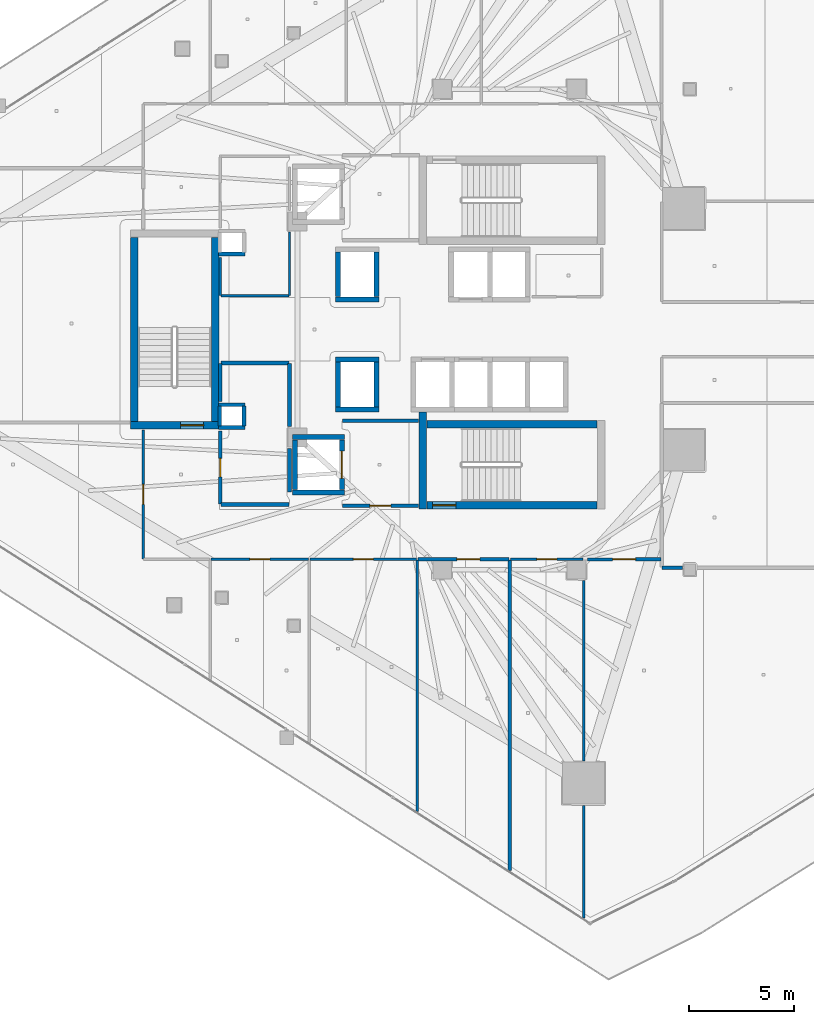
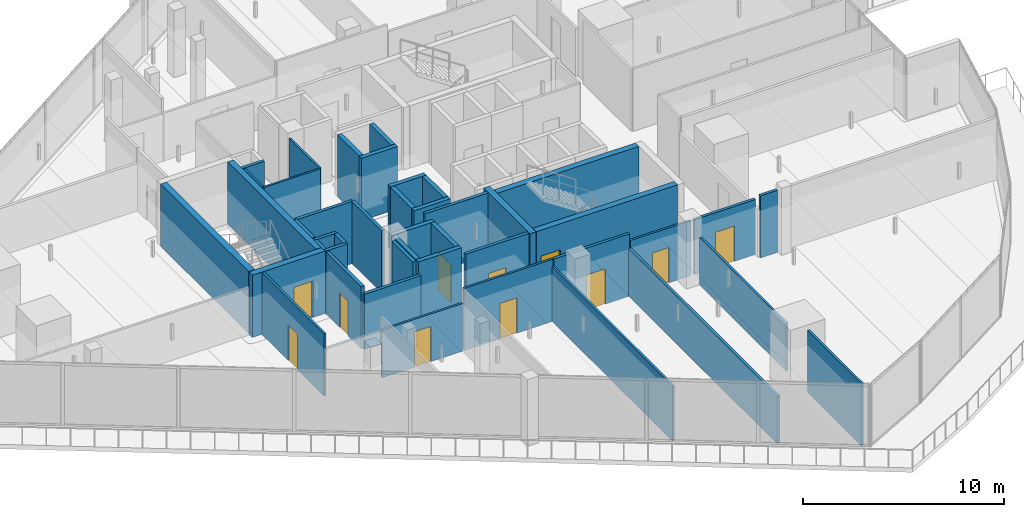
# One storey, part 25 of 37: 44 walls, 11 doors, 11 openings.
"""IFC4 building model written with IfcOpenShell, lengths in metres."""

from ifc_helpers import new_model, si_unit, direction, frame, frame_2d, origin, place, context, subcontext, project, spatial, rectangle, extrude, material, layer, layer_set, type_object, element, fill, save


model = new_model("IFC4")

# Units and contexts
model_context = context("Model", 3, precision=1e-05, world=origin(), true_north=direction((0.0, 1.0)))
body_context = subcontext(model_context, "Body", "Model", "MODEL_VIEW")
ifc_project = project(units=[si_unit("LENGTHUNIT", "METRE"), si_unit("AREAUNIT", "SQUARE_METRE"), si_unit("VOLUMEUNIT", "CUBIC_METRE"), si_unit("PLANEANGLEUNIT", "RADIAN"), si_unit("MASSUNIT", "GRAM", prefix="KILO")], contexts=[model_context])

# Site, building, storey
site_placement = place(None, origin())
site = spatial("IfcSite", under=ifc_project, at=site_placement, CompositionType="ELEMENT")
building_placement = place(site_placement, origin())
building = spatial("IfcBuilding", under=site, at=building_placement, Name="Qorvath Tower", CompositionType="ELEMENT")
storey_placement = place(building_placement, frame((0.0, 0.0, 184.800048828125)))
storey = spatial("IfcBuildingStorey", under=building, at=storey_placement, Name="L42", CompositionType="ELEMENT", Elevation=184.800048828125)

# Walls
ifc_material_1 = material(Name="Gypsum shaftliner on steel studs", Category="steel")
ifc_layer_1 = layer(ifc_material_1, 0.179931640625)
ifc_layer_set_1 = layer_set([ifc_layer_1], Name="FW-LOBBY")
wall_type_1 = type_object("IfcWallType", Name="FW-LOBBY", PredefinedType="PARTITIONING", material=ifc_layer_set_1)
for number, where, z_axis, x_axis, name in (
    (1, (-32.989990234375, 3.594970703125, 0.0), (0.0, 0.0, 1.0), (-1.0, 0.0, 0.0), "MEP Riser Shaft Enclosure Wall N-L42-S"),
    (2, (-32.989990234375, -4.675048828125, 0.0), (0.0, 0.0, 1.0), (-1.0, 0.0, 0.0), "MEP Riser Shaft Enclosure Wall S-L42-S"),
    (3, (-34.260009765625, -3.594970703125, 0.0), (0.0, 0.0, 1.0), (1.0, 0.0, 0.0), "MEP Riser Shaft Enclosure Wall S-L42-N"),
):
    element("IfcWall", number, at=place(storey_placement, frame(where, z_axis=z_axis, x_axis=x_axis)), inside=storey, type_object=wall_type_1, Name=name, PredefinedType="PARTITIONING", context=body_context, shape_type="SweptSolid", body=[
        extrude(rectangle(XDim=1.27001953125, YDim=0.179931640625, at=frame_2d((0.635009765625, 0.0))), origin(), (0.0, 0.0, 1.0), 3.780029296875),
    ])
for number, where, z_axis, x_axis, name in (
    (4, (-34.205078125, -4.610107421875, 0.0), (0.0, 0.0, 1.0), (0.0, 1.0, 0.0), "MEP Riser Shaft Enclosure Wall S-L42-W"),
    (5, (-33.044921875, -3.659912109375, 0.0), (0.0, 0.0, 1.0), (0.0, -1.0, 0.0), "MEP Riser Shaft Enclosure Wall S-L42-E"),
):
    element("IfcWall", number, at=place(storey_placement, frame(where, z_axis=z_axis, x_axis=x_axis)), inside=storey, type_object=wall_type_1, Name=name, PredefinedType="PARTITIONING", context=body_context, shape_type="SweptSolid", body=[
        extrude(rectangle(XDim=0.9501953125, YDim=0.179931640625, at=frame_2d((0.47509765625, 0.0))), origin(), (0.0, 0.0, 1.0), 3.780029296875),
    ])

# Wall, opening, door
wall_1_placement = place(storey_placement, frame((-28.35498046875, -8.39990234375, 0.0), z_axis=(0.0, 0.0, 1.0), x_axis=(1.0, 0.0, 0.0)))
wall_1 = element("IfcWall", 6, at=wall_1_placement, inside=storey, type_object=wall_type_1, Name="Interior Partition IW-T1-L42-003", PredefinedType="PARTITIONING", context=body_context, shape_type="SweptSolid", body=[
    extrude(rectangle(XDim=3.6220703125, YDim=0.179931640625, at=frame_2d((1.81103515625, 0.0))), origin(), (0.0, 0.0, 1.0), 3.780029296875),
])
opening_1_placement = place(wall_1_placement, frame((1.31103515625, 0.0, 0.0)))
opening_1 = element("IfcOpeningElement", 7, at=opening_1_placement, cuts=wall_1, Name="Opening D-T1-L42-19", PredefinedType="OPENING", context=body_context, shape_type="SweptSolid", body=[
    extrude(rectangle(XDim=1.0, YDim=2.14990234375, at=frame_2d((0.5, 1.074951171875))), frame((0.0, 0.10009765625, 0.0), z_axis=(0.0, -1.0, 0.0), x_axis=(1.0, 0.0, 0.0)), (0.0, 0.0, 1.0), 0.199951171875),
])
ifc_material_2 = material(Name="Painted galvanised hollow metal", Category="steel")
door_type_1 = type_object("IfcDoorType", Name="FD-60", OperationType="NOTDEFINED", PredefinedType="DOOR", material=ifc_material_2)
door_1_placement = place(opening_1_placement, origin())
door_1 = element("IfcDoor", 8, at=door_1_placement, inside=storey, type_object=door_type_1, Name="Lobby Fire Service Elevator South Door D-T1-L42-19", OperationType="SINGLE_SWING_RIGHT", OverallHeight=2.14990234375, OverallWidth=1.0, PredefinedType="DOOR", context=body_context, shape_type="SweptSolid", body=[
    extrude(rectangle(XDim=1.0, YDim=2.14990234375, at=frame_2d((0.5, 1.074951171875))), frame((0.0, 0.02490234375, 0.0), z_axis=(0.0, -1.0, 0.0), x_axis=(1.0, 0.0, 0.0)), (0.0, 0.0, 1.0), 0.050048828125),
])
fill(opening_1, door_1)

# Walls
wall_2_placement = place(storey_placement, frame((-24.73291015625, -4.35009765625, 0.0), z_axis=(0.0, 0.0, 1.0), x_axis=(-1.0, 0.0, 0.0)))
element("IfcWall", 9, at=wall_2_placement, inside=storey, type_object=wall_type_1, Name="Interior Partition IW-T1-L42-004", PredefinedType="PARTITIONING", context=body_context, shape_type="SweptSolid", body=[
    extrude(rectangle(XDim=3.6220703125, YDim=0.179931640625, at=frame_2d((1.81103515625, 0.0))), origin(), (0.0, 0.0, 1.0), 3.780029296875),
])
wall_3_placement = place(storey_placement, frame((-34.15478515625, -8.35009765625, 0.0), z_axis=(0.0, 0.0, 1.0), x_axis=(1.0, 0.0, 0.0)))
element("IfcWall", 10, at=wall_3_placement, inside=storey, type_object=wall_type_1, Name="Interior Partition IW-T1-L42-013", PredefinedType="PARTITIONING", context=body_context, shape_type="SweptSolid", body=[
    extrude(rectangle(XDim=3.25, YDim=0.179931640625, at=frame_2d((1.625, 0.0))), origin(), (0.0, 0.0, 1.0), 3.34423828125),
])
wall_4_placement = place(storey_placement, frame((-30.8798828125, -7.742919921875, 0.0), z_axis=(0.0, 0.0, 1.0), x_axis=(0.0, 1.0, 0.0)))
element("IfcWall", 11, at=wall_4_placement, inside=storey, type_object=wall_type_1, Name="Interior Partition IW-T1-L42-014", PredefinedType="PARTITIONING", context=body_context, shape_type="SweptSolid", body=[
    extrude(rectangle(XDim=2.077880859375, YDim=0.179931640625, at=frame_2d((1.0390625, 0.0))), origin(), (0.0, 0.0, 1.0), 3.780029296875),
])
wall_5_placement = place(storey_placement, frame((-30.8798828125, -4.635009765625, 0.0), z_axis=(0.0, 0.0, 1.0), x_axis=(0.0, 1.0, 0.0)))
element("IfcWall", 12, at=wall_5_placement, inside=storey, type_object=wall_type_1, Name="Interior Partition IW-T1-L42-015", PredefinedType="PARTITIONING", context=body_context, shape_type="SweptSolid", body=[
    extrude(rectangle(XDim=3.010009765625, YDim=0.179931640625, at=frame_2d((1.5048828125, 0.0))), origin(), (0.0, 0.0, 1.0), 3.780029296875),
])
wall_6_placement = place(storey_placement, frame((-30.90478515625, -1.60009765625, 0.0), z_axis=(0.0, 0.0, 1.0), x_axis=(-1.0, 0.0, 0.0)))
element("IfcWall", 13, at=wall_6_placement, inside=storey, type_object=wall_type_1, Name="Interior Partition IW-T1-L42-016", PredefinedType="PARTITIONING", context=body_context, shape_type="SweptSolid", body=[
    extrude(rectangle(XDim=3.25, YDim=0.179931640625, at=frame_2d((1.625, 0.0))), origin(), (0.0, 0.0, 1.0), 3.780029296875),
])
wall_7_placement = place(storey_placement, frame((-34.179931640625, -1.625, 0.0), z_axis=(0.0, 0.0, 1.0), x_axis=(0.0, -1.0, 0.0)))
element("IfcWall", 14, at=wall_7_placement, inside=storey, type_object=wall_type_1, Name="Interior Partition IW-T1-L42-017", PredefinedType="PARTITIONING", context=body_context, shape_type="SweptSolid", body=[
    extrude(rectangle(XDim=1.804931640625, YDim=0.179931640625, at=frame_2d((0.90234375, 0.0))), origin(), (0.0, 0.0, 1.0), 3.780029296875),
])

# Wall, opening, door
wall_8_placement = place(storey_placement, frame((-34.179931640625, -4.840087890625, 0.0), z_axis=(0.0, 0.0, 1.0), x_axis=(0.0, -1.0, 0.0)))
wall_8 = element("IfcWall", 15, at=wall_8_placement, inside=storey, type_object=wall_type_1, Name="Interior Partition IW-T1-L42-018", PredefinedType="PARTITIONING", context=body_context, shape_type="SweptSolid", body=[
    extrude(rectangle(XDim=3.485107421875, YDim=0.179931640625, at=frame_2d((1.74267578125, 0.0))), origin(), (0.0, 0.0, 1.0), 3.780029296875),
])
opening_2_placement = place(wall_8_placement, frame((1.302490234375, 0.0, 0.0)))
opening_2 = element("IfcOpeningElement", 16, at=opening_2_placement, cuts=wall_8, Name="Opening D-T1-L42-03", PredefinedType="OPENING", context=body_context, shape_type="SweptSolid", body=[
    extrude(rectangle(XDim=0.8798828125, YDim=2.10009765625, at=frame_2d((0.43994140625, 1.050048828125))), frame((0.0, 0.10009765625, 0.0), z_axis=(0.0, -1.0, 0.0), x_axis=(1.0, 0.0, 0.0)), (0.0, 0.0, 1.0), 0.199951171875),
])
ifc_material_3 = material(Name="Painted galvanised hollow metal", Category="steel")
door_type_2 = type_object("IfcDoorType", Name="FD-60N", OperationType="NOTDEFINED", PredefinedType="DOOR", material=ifc_material_3)
door_2_placement = place(opening_2_placement, origin())
door_2 = element("IfcDoor", 17, at=door_2_placement, inside=storey, type_object=door_type_2, Name="Core electrical and cleaner room L42 Door D-T1-L42-03", OperationType="SINGLE_SWING_RIGHT", OverallHeight=2.10009765625, OverallWidth=0.8798828125, PredefinedType="DOOR", context=body_context, shape_type="SweptSolid", body=[
    extrude(rectangle(XDim=0.8798828125, YDim=2.10009765625, at=frame_2d((0.43994140625, 1.050048828125))), frame((0.0, 0.02490234375, 0.0), z_axis=(0.0, -1.0, 0.0), x_axis=(1.0, 0.0, 0.0)), (0.0, 0.0, 1.0), 0.050048828125),
])
fill(opening_2, door_2)

# Wall
ifc_material_4 = material(Name="Double acoustic gypsum board on steel studs", Category="steel")
ifc_layer_2 = layer(ifc_material_4, 0.159912109375)
ifc_layer_set_2 = layer_set([ifc_layer_2], Name="IW-ACOUSTIC-160")
wall_type_2 = type_object("IfcWallType", Name="IW-ACOUSTIC-160", PredefinedType="PARTITIONING", material=ifc_layer_set_2)
wall_9_placement = place(storey_placement, frame((-20.382568359375, -25.794189453125, 0.0), z_axis=(0.0, 0.0, 1.0), x_axis=(0.0, 1.0, 0.0)))
element("IfcWall", 18, at=wall_9_placement, inside=storey, type_object=wall_type_2, Name="Interior Partition IW-T1-L42-033", PredefinedType="PARTITIONING", context=body_context, shape_type="SweptSolid", body=[
    extrude(rectangle(XDim=14.811279296875, YDim=0.159912109375, at=frame_2d((7.40576171875, 0.0))), origin(), (0.0, 0.0, 1.0), 2.89501953125),
])

# Wall, opening, door
wall_10_placement = place(storey_placement, frame((-20.40771484375, -10.9580078125, 0.0), z_axis=(0.0, 0.0, 1.0), x_axis=(-1.0, 0.0, 0.0)))
wall_10 = element("IfcWall", 19, at=wall_10_placement, inside=storey, type_object=wall_type_2, Name="Interior Partition IW-T1-L42-034", PredefinedType="PARTITIONING", context=body_context, shape_type="SweptSolid", body=[
    extrude(rectangle(XDim=4.351806640625, YDim=0.159912109375, at=frame_2d((2.17578125, 0.0))), origin(), (0.0, 0.0, 1.0), 3.780029296875),
])
opening_3_placement = place(wall_10_placement, frame((1.3935546875, 0.0, 0.0)))
opening_3 = element("IfcOpeningElement", 20, at=opening_3_placement, cuts=wall_10, Name="Opening D-T1-L42-09", PredefinedType="OPENING", context=body_context, shape_type="SweptSolid", body=[
    extrude(rectangle(XDim=1.10009765625, YDim=2.14990234375, at=frame_2d((0.550048828125, 1.074951171875))), frame((0.0, 0.08984375, 0.0), z_axis=(0.0, -1.0, 0.0), x_axis=(1.0, 0.0, 0.0)), (0.0, 0.0, 1.0), 0.179931640625),
])
ifc_material_5 = material(Name="Anodised aluminium acoustic framed glass", Category="aluminium")
door_type_3 = type_object("IfcDoorType", Name="D-03", OperationType="NOTDEFINED", PredefinedType="DOOR", material=ifc_material_5)
door_3_placement = place(opening_3_placement, origin())
door_3 = element("IfcDoor", 21, at=door_3_placement, inside=storey, type_object=door_type_3, Name="L42-06 Digital Visualization Suite Door D-T1-L42-09", OperationType="SINGLE_SWING_RIGHT", OverallHeight=2.14990234375, OverallWidth=1.10009765625, PredefinedType="DOOR", context=body_context, shape_type="SweptSolid", body=[
    extrude(rectangle(XDim=1.10009765625, YDim=2.14990234375, at=frame_2d((0.550048828125, 1.074951171875))), frame((0.0, 0.02490234375, 0.0), z_axis=(0.0, -1.0, 0.0), x_axis=(1.0, 0.0, 0.0)), (0.0, 0.0, 1.0), 0.050048828125),
])
fill(opening_3, door_3)

# Wall
wall_11_placement = place(storey_placement, frame((-12.139892578125, -11.3544921875, 0.0), z_axis=(0.0, 0.0, 1.0), x_axis=(-0.999999723608, 0.000743494218, 0.0)))
element("IfcWall", 22, at=wall_11_placement, inside=storey, type_object=wall_type_2, Name="Interior Partition IW-T1-L42-039", PredefinedType="PARTITIONING", context=body_context, shape_type="SweptSolid", body=[
    extrude(rectangle(XDim=0.985107421875, YDim=0.159912109375, at=frame_2d((0.49267578125, 0.0))), origin(), (0.0, 0.0, 1.0), 3.780029296875),
])

# Wall, opening, door
wall_12_placement = place(storey_placement, frame((-13.1748046875, -10.9580078125, 0.0), z_axis=(0.0, 0.0, 1.0), x_axis=(-0.999997523311, -0.002225616967, 0.0)))
wall_12 = element("IfcWall", 23, at=wall_12_placement, inside=storey, type_object=wall_type_2, Name="Interior Partition IW-T1-L42-040", PredefinedType="PARTITIONING", context=body_context, shape_type="SweptSolid", body=[
    extrude(rectangle(XDim=3.51025390625, YDim=0.159912109375, at=frame_2d((1.755126953125, 0.0))), origin(), (0.0, 0.0, 1.0), 3.34423828125),
])
opening_4_placement = place(wall_12_placement, frame((1.205078125, 0.0, 0.0)))
opening_4 = element("IfcOpeningElement", 24, at=opening_4_placement, cuts=wall_12, Name="Opening D-T1-L42-11", PredefinedType="OPENING", context=body_context, shape_type="SweptSolid", body=[
    extrude(rectangle(XDim=1.10009765625, YDim=2.14990234375, at=frame_2d((0.550048828125, 1.074951171875))), frame((0.0, 0.08984375, 0.0), z_axis=(0.0, -1.0, 0.0), x_axis=(1.0, 0.0, 0.0)), (0.0, 0.0, 1.0), 0.179931640625),
])
door_4_placement = place(opening_4_placement, origin())
door_4 = element("IfcDoor", 25, at=door_4_placement, inside=storey, type_object=door_type_3, Name="L42-08 Team Project Office Door D-T1-L42-11", OperationType="SINGLE_SWING_RIGHT", OverallHeight=2.14990234375, OverallWidth=1.10009765625, PredefinedType="DOOR", context=body_context, shape_type="SweptSolid", body=[
    extrude(rectangle(XDim=1.10009765625, YDim=2.14990234375, at=frame_2d((0.550048828125, 1.074951171875))), frame((0.0, 0.02490234375, 0.0), z_axis=(0.0, -1.0, 0.0), x_axis=(1.0, 0.0, 0.0)), (0.0, 0.0, 1.0), 0.050048828125),
])
fill(opening_4, door_4)

ifc_material_6 = material(Name="Gypsum board on metal studs with mineral wool", Category="gypsum")
ifc_layer_3 = layer(ifc_material_6, 0.125)
ifc_layer_set_3 = layer_set([ifc_layer_3], Name="IW-PART-125")
wall_type_3 = type_object("IfcWallType", Name="IW-PART-125", PredefinedType="PARTITIONING", material=ifc_layer_set_3)
wall_13_placement = place(storey_placement, frame((-29.962646484375, -10.9580078125, 0.0), z_axis=(0.0, 0.0, 1.0), x_axis=(-1.0, 0.0, 0.0)))
wall_13 = element("IfcWall", 26, at=wall_13_placement, inside=storey, type_object=wall_type_3, Name="Interior Partition IW-T1-L42-028", PredefinedType="PARTITIONING", context=body_context, shape_type="SweptSolid", body=[
    extrude(rectangle(XDim=4.662353515625, YDim=0.125, at=frame_2d((2.3310546875, 0.0))), origin(), (0.0, 0.0, 1.0), 2.89990234375),
])
opening_5_placement = place(wall_13_placement, frame((1.856201171875, 0.0, 0.0)))
opening_5 = element("IfcOpeningElement", 27, at=opening_5_placement, cuts=wall_13, Name="Opening D-T1-L42-07", PredefinedType="OPENING", context=body_context, shape_type="SweptSolid", body=[
    extrude(rectangle(XDim=0.949951171875, YDim=2.14990234375, at=frame_2d((0.47509765625, 1.074951171875))), frame((0.0, 0.072509765625, 0.0), z_axis=(0.0, -1.0, 0.0), x_axis=(1.0, 0.0, 0.0)), (0.0, 0.0, 1.0), 0.14501953125),
])
ifc_material_7 = material(Name="Solid-core American white oak veneer", Category="wood")
door_type_4 = type_object("IfcDoorType", Name="D-01", OperationType="NOTDEFINED", PredefinedType="DOOR", material=ifc_material_7)
door_5_placement = place(opening_5_placement, origin())
door_5 = element("IfcDoor", 28, at=door_5_placement, inside=storey, type_object=door_type_4, Name="L42-04 Executive Partner Office Door D-T1-L42-07", OperationType="SINGLE_SWING_RIGHT", OverallHeight=2.14990234375, OverallWidth=0.949951171875, PredefinedType="DOOR", context=body_context, shape_type="SweptSolid", body=[
    extrude(rectangle(XDim=0.949951171875, YDim=2.14990234375, at=frame_2d((0.47509765625, 1.074951171875))), frame((0.0, 0.02490234375, 0.0), z_axis=(0.0, -1.0, 0.0), x_axis=(1.0, 0.0, 0.0)), (0.0, 0.0, 1.0), 0.050048828125),
])
fill(opening_5, door_5)

# Wall
wall_14_placement = place(storey_placement, frame((-24.79248046875, -22.9755859375, 0.0), z_axis=(0.0, 0.0, 1.0), x_axis=(0.0, 1.0, 0.0)))
element("IfcWall", 29, at=wall_14_placement, inside=storey, type_object=wall_type_3, Name="Interior Partition IW-T1-L42-031", PredefinedType="PARTITIONING", context=body_context, shape_type="SweptSolid", body=[
    extrude(rectangle(XDim=11.99267578125, YDim=0.125, at=frame_2d((5.996337890625, 0.0))), origin(), (0.0, 0.0, 1.0), 3.34423828125),
])

# Wall, opening, door
wall_15_placement = place(storey_placement, frame((-24.8173828125, -10.9580078125, 0.0), z_axis=(0.0, 0.0, 1.0), x_axis=(-1.0, 0.0, 0.0)))
wall_15 = element("IfcWall", 30, at=wall_15_placement, inside=storey, type_object=wall_type_3, Name="Interior Partition IW-T1-L42-032", PredefinedType="PARTITIONING", context=body_context, shape_type="SweptSolid", body=[
    extrude(rectangle(XDim=5.08740234375, YDim=0.125, at=frame_2d((2.543701171875, 0.0))), origin(), (0.0, 0.0, 1.0), 3.780029296875),
])
opening_6_placement = place(wall_15_placement, frame((2.068603515625, 0.0, 0.0)))
opening_6 = element("IfcOpeningElement", 31, at=opening_6_placement, cuts=wall_15, Name="Opening D-T1-L42-08", PredefinedType="OPENING", context=body_context, shape_type="SweptSolid", body=[
    extrude(rectangle(XDim=0.949951171875, YDim=2.14990234375, at=frame_2d((0.47509765625, 1.074951171875))), frame((0.0, 0.072509765625, 0.0), z_axis=(0.0, -1.0, 0.0), x_axis=(1.0, 0.0, 0.0)), (0.0, 0.0, 1.0), 0.14501953125),
])
door_6_placement = place(opening_6_placement, origin())
door_6 = element("IfcDoor", 32, at=door_6_placement, inside=storey, type_object=door_type_4, Name="L42-05 Breakout Reading Alcove Door D-T1-L42-08", OperationType="SINGLE_SWING_LEFT", OverallHeight=2.14990234375, OverallWidth=0.949951171875, PredefinedType="DOOR", context=body_context, shape_type="SweptSolid", body=[
    extrude(rectangle(XDim=0.949951171875, YDim=2.14990234375, at=frame_2d((0.47509765625, 1.074951171875))), frame((0.0, 0.02490234375, 0.0), z_axis=(0.0, -1.0, 0.0), x_axis=(1.0, 0.0, 0.0)), (0.0, 0.0, 1.0), 0.050048828125),
])
fill(opening_6, door_6)

wall_16_placement = place(storey_placement, frame((-16.884521484375, -10.9580078125, 0.0), z_axis=(0.0, 0.0, 1.0), x_axis=(-1.0, 0.0, 0.0)))
wall_16 = element("IfcWall", 33, at=wall_16_placement, inside=storey, type_object=wall_type_3, Name="Interior Partition IW-T1-L42-035", PredefinedType="PARTITIONING", context=body_context, shape_type="SweptSolid", body=[
    extrude(rectangle(XDim=3.465087890625, YDim=0.125, at=frame_2d((1.732421875, 0.0))), origin(), (0.0, 0.0, 1.0), 3.34423828125),
])
opening_7_placement = place(wall_16_placement, frame((1.257568359375, 0.0, 0.0)))
opening_7 = element("IfcOpeningElement", 34, at=opening_7_placement, cuts=wall_16, Name="Opening D-T1-L42-10", PredefinedType="OPENING", context=body_context, shape_type="SweptSolid", body=[
    extrude(rectangle(XDim=0.949951171875, YDim=2.14990234375, at=frame_2d((0.47509765625, 1.074951171875))), frame((0.0, 0.072509765625, 0.0), z_axis=(0.0, -1.0, 0.0), x_axis=(1.0, 0.0, 0.0)), (0.0, 0.0, 1.0), 0.14501953125),
])
door_7_placement = place(opening_7_placement, origin())
door_7 = element("IfcDoor", 35, at=door_7_placement, inside=storey, type_object=door_type_4, Name="L42-07 Quantitative Research Studio Door D-T1-L42-10", OperationType="SINGLE_SWING_LEFT", OverallHeight=2.14990234375, OverallWidth=0.949951171875, PredefinedType="DOOR", context=body_context, shape_type="SweptSolid", body=[
    extrude(rectangle(XDim=0.949951171875, YDim=2.14990234375, at=frame_2d((0.47509765625, 1.074951171875))), frame((0.0, 0.02490234375, 0.0), z_axis=(0.0, -1.0, 0.0), x_axis=(1.0, 0.0, 0.0)), (0.0, 0.0, 1.0), 0.050048828125),
])
fill(opening_7, door_7)

# Walls
wall_17_placement = place(storey_placement, frame((-16.859619140625, -28.0458984375, 0.0), z_axis=(0.0, 0.0, 1.0), x_axis=(0.0, 1.0, 0.0)))
element("IfcWall", 36, at=wall_17_placement, inside=storey, type_object=wall_type_3, Name="Interior Partition IW-T1-L42-036", PredefinedType="PARTITIONING", context=body_context, shape_type="SweptSolid", body=[
    extrude(rectangle(XDim=5.353759765625, YDim=0.125, at=frame_2d((2.6767578125, 0.0))), origin(), (0.0, 0.0, 1.0), 3.780029296875),
])
wall_18_placement = place(storey_placement, frame((-16.859619140625, -20.56201171875, 0.0), z_axis=(0.0, 0.0, 1.0), x_axis=(0.0, 1.0, 0.0)))
element("IfcWall", 37, at=wall_18_placement, inside=storey, type_object=wall_type_3, Name="Interior Partition IW-T1-L42-037", PredefinedType="PARTITIONING", context=body_context, shape_type="SweptSolid", body=[
    extrude(rectangle(XDim=8.596923828125, YDim=0.125, at=frame_2d((4.29833984375, 0.0))), origin(), (0.0, 0.0, 1.0), 2.89990234375),
])

# Wall, opening, door
wall_19_placement = place(storey_placement, frame((-37.85791015625, -10.93310546875, 0.0), z_axis=(0.0, 0.0, 1.0), x_axis=(0.0, 1.0, 0.0)))
wall_19 = element("IfcWall", 38, at=wall_19_placement, inside=storey, type_object=wall_type_3, Name="Interior Partition IW-T1-L42-050", PredefinedType="PARTITIONING", context=body_context, shape_type="SweptSolid", body=[
    extrude(rectangle(XDim=6.14990234375, YDim=0.125, at=frame_2d((3.074951171875, 0.0))), origin(), (0.0, 0.0, 1.0), 3.780029296875),
])
opening_8_placement = place(wall_19_placement, frame((2.599853515625, 0.0, 0.0)))
opening_8 = element("IfcOpeningElement", 39, at=opening_8_placement, cuts=wall_19, Name="Opening D-T1-L42-15", PredefinedType="OPENING", context=body_context, shape_type="SweptSolid", body=[
    extrude(rectangle(XDim=0.949951171875, YDim=2.14990234375, at=frame_2d((0.47509765625, 1.074951171875))), frame((0.0, 0.072509765625, 0.0), z_axis=(0.0, -1.0, 0.0), x_axis=(1.0, 0.0, 0.0)), (0.0, 0.0, 1.0), 0.14501953125),
])
door_8_placement = place(opening_8_placement, origin())
door_8 = element("IfcDoor", 40, at=door_8_placement, inside=storey, type_object=door_type_4, Name="L42-12 Project Collaboration Workspace Door D-T1-L42-15", OperationType="SINGLE_SWING_RIGHT", OverallHeight=2.14990234375, OverallWidth=0.949951171875, PredefinedType="DOOR", context=body_context, shape_type="SweptSolid", body=[
    extrude(rectangle(XDim=0.949951171875, YDim=2.14990234375, at=frame_2d((0.47509765625, 1.074951171875))), frame((0.0, 0.02490234375, 0.0), z_axis=(0.0, -1.0, 0.0), x_axis=(1.0, 0.0, 0.0)), (0.0, 0.0, 1.0), 0.050048828125),
])
fill(opening_8, door_8)

# Walls
ifc_material_8 = material(Name="Moisture-resistant cement board on metal studs", Category="gypsum")
ifc_layer_4 = layer(ifc_material_8, 0.110107421875)
ifc_layer_set_4 = layer_set([ifc_layer_4], Name="IW-WC-110")
wall_type_4 = type_object("IfcWallType", Name="IW-WC-110", PredefinedType="PARTITIONING", material=ifc_layer_set_4)
wall_20_placement = place(storey_placement, frame((-34.15478515625, 1.60009765625, 0.0), z_axis=(0.0, 0.0, 1.0), x_axis=(1.0, 0.0, 0.0)))
element("IfcWall", 41, at=wall_20_placement, inside=storey, type_object=wall_type_4, Name="Interior Partition IW-T1-L42-005", PredefinedType="PARTITIONING", context=body_context, shape_type="SweptSolid", body=[
    extrude(rectangle(XDim=3.25, YDim=0.110107421875, at=frame_2d((1.625, 0.0))), origin(), (0.0, 0.0, 1.0), 3.780029296875),
])
wall_21_placement = place(storey_placement, frame((-30.8798828125, 1.625, 0.0), z_axis=(0.0, 0.0, 1.0), x_axis=(0.0, 1.0, 0.0)))
element("IfcWall", 42, at=wall_21_placement, inside=storey, type_object=wall_type_4, Name="Interior Partition IW-T1-L42-006", PredefinedType="PARTITIONING", context=body_context, shape_type="SweptSolid", body=[
    extrude(rectangle(XDim=3.010009765625, YDim=0.110107421875, at=frame_2d((1.5048828125, 0.0))), origin(), (0.0, 0.0, 1.0), 3.780029296875),
])
wall_22_placement = place(storey_placement, frame((-34.179931640625, 3.429931640625, 0.0), z_axis=(0.0, 0.0, 1.0), x_axis=(0.0, -1.0, 0.0)))
element("IfcWall", 43, at=wall_22_placement, inside=storey, type_object=wall_type_4, Name="Interior Partition IW-T1-L42-010", PredefinedType="PARTITIONING", context=body_context, shape_type="SweptSolid", body=[
    extrude(rectangle(XDim=1.804931640625, YDim=0.110107421875, at=frame_2d((0.90234375, 0.0))), origin(), (0.0, 0.0, 1.0), 3.780029296875),
])
ifc_material_9 = material(Name="Concrete C60/75", Category="concrete")
ifc_layer_5 = layer(ifc_material_9, 0.260009765625)
ifc_layer_set_5 = layer_set([ifc_layer_5], Name="SW-SHAFT")
wall_type_5 = type_object("IfcWallType", Name="SW-SHAFT", PredefinedType="SHEAR", material=ifc_layer_set_5)
for number, where, z_axis, x_axis, name in (
    (44, (-28.260009765625, -7.77001953125, 0.0), (0.0, 0.0, 1.0), (-1.0, 0.0, 0.0), "Hoistway Wall FSAE-2 L42 S"),
    (45, (-30.739990234375, -5.1298828125, 0.0), (0.0, 0.0, 1.0), (1.0, 0.0, 0.0), "Hoistway Wall FSAE-2 L42 N"),
):
    element("IfcWall", number, at=place(storey_placement, frame(where, z_axis=z_axis, x_axis=x_axis)), inside=storey, type_object=wall_type_5, Name=name, PredefinedType="SHEAR", context=body_context, shape_type="SweptSolid", body=[
        extrude(rectangle(XDim=2.47998046875, YDim=0.239990234375, at=frame_2d((1.239990234375, 0.0))), origin(), (0.0, 0.0, 1.0), 3.780029296875),
    ])
wall_23_placement = place(storey_placement, frame((-30.6201171875, -7.637939453125, 0.0), z_axis=(0.0, 0.0, 1.0), x_axis=(0.0, 1.0, 0.0)))
element("IfcWall", 46, at=wall_23_placement, inside=storey, type_object=wall_type_5, Name="Hoistway Wall FSAE-2 L42 W", PredefinedType="SHEAR", context=body_context, shape_type="SweptSolid", body=[
    extrude(rectangle(XDim=2.3759765625, YDim=0.239990234375, at=frame_2d((1.18798828125, 0.0))), origin(), (0.0, 0.0, 1.0), 3.780029296875),
])

# Wall, opening, door
wall_24_placement = place(storey_placement, frame((-28.3798828125, -5.261962890625, 0.0), z_axis=(0.0, 0.0, 1.0), x_axis=(0.0, -1.0, 0.0)))
wall_24 = element("IfcWall", 47, at=wall_24_placement, inside=storey, type_object=wall_type_5, Name="Hoistway Wall FSAE-2 L42 E", PredefinedType="SHEAR", context=body_context, shape_type="SweptSolid", body=[
    extrude(rectangle(XDim=2.3759765625, YDim=0.239990234375, at=frame_2d((1.18798828125, 0.0))), origin(), (0.0, 0.0, 1.0), 3.780029296875),
])
opening_9_placement = place(wall_24_placement, frame((0.5380859375, 0.0, 0.0)))
opening_9 = element("IfcOpeningElement", 48, at=opening_9_placement, cuts=wall_24, Name="Opening LD-FSAE-2-L42", PredefinedType="OPENING", context=body_context, shape_type="SweptSolid", body=[
    extrude(rectangle(XDim=1.300048828125, YDim=2.300048828125, at=frame_2d((0.64990234375, 1.14990234375))), frame((0.0, 0.1298828125, 0.0), z_axis=(0.0, -1.0, 0.0), x_axis=(1.0, 0.0, 0.0)), (0.0, 0.0, 1.0), 0.260009765625),
])
ifc_material_10 = material(Name="Brushed stainless steel AISI 316", Category="steel")
door_type_5 = type_object("IfcDoorType", Name="LD-02", OperationType="NOTDEFINED", PredefinedType="DOOR", material=ifc_material_10)
door_9_placement = place(opening_9_placement, origin())
door_9 = element("IfcDoor", 49, at=door_9_placement, inside=storey, type_object=door_type_5, Name="Elevator Landing Sliding Door LD-FSAE-2-L42", OperationType="DOUBLE_DOOR_SLIDING", OverallHeight=2.300048828125, OverallWidth=1.300048828125, PredefinedType="DOOR", context=body_context, shape_type="SweptSolid", body=[
    extrude(rectangle(XDim=1.300048828125, YDim=2.300048828125, at=frame_2d((0.64990234375, 1.14990234375))), frame((0.0, 0.02490234375, 0.0), z_axis=(0.0, -1.0, 0.0), x_axis=(1.0, 0.0, 0.0)), (0.0, 0.0, 1.0), 0.050048828125),
])
fill(opening_9, door_9)

# Walls
wall_25_placement = place(storey_placement, frame((-26.610107421875, 1.429931640625, 0.0), z_axis=(0.0, 0.0, 1.0), x_axis=(-1.0, 0.0, 0.0)))
element("IfcWall", 50, at=wall_25_placement, inside=storey, type_object=wall_type_5, Name="Hoistway Wall PS-1 L42 S", PredefinedType="SHEAR", context=body_context, shape_type="SweptSolid", body=[
    extrude(rectangle(XDim=2.079833984375, YDim=0.239990234375, at=frame_2d((1.0400390625, 0.0))), origin(), (0.0, 0.0, 1.0), 3.780029296875),
])
for number, where, z_axis, x_axis, name in (
    (51, (-28.570068359375, 1.56201171875, 0.0), (0.0, 0.0, 1.0), (0.0, 1.0, 0.0), "Hoistway Wall PS-1 L42 W"),
    (52, (-26.72998046875, 3.68798828125, 0.0), (0.0, 0.0, 1.0), (0.0, -1.0, 0.0), "Hoistway Wall PS-1 L42 E"),
):
    element("IfcWall", number, at=place(storey_placement, frame(where, z_axis=z_axis, x_axis=x_axis)), inside=storey, type_object=wall_type_5, Name=name, PredefinedType="SHEAR", context=body_context, shape_type="SweptSolid", body=[
        extrude(rectangle(XDim=2.1259765625, YDim=0.239990234375, at=frame_2d((1.06298828125, 0.0))), origin(), (0.0, 0.0, 1.0), 3.780029296875),
    ])
for number, where, z_axis, x_axis, name in (
    (53, (-26.610107421875, -3.820068359375, 0.0), (0.0, 0.0, 1.0), (-1.0, 0.0, 0.0), "Hoistway Wall PS-2 L42 S"),
    (54, (-28.68994140625, -1.429931640625, 0.0), (0.0, 0.0, 1.0), (1.0, 0.0, 0.0), "Hoistway Wall PS-2 L42 N"),
):
    element("IfcWall", number, at=place(storey_placement, frame(where, z_axis=z_axis, x_axis=x_axis)), inside=storey, type_object=wall_type_5, Name=name, PredefinedType="SHEAR", context=body_context, shape_type="SweptSolid", body=[
        extrude(rectangle(XDim=2.079833984375, YDim=0.239990234375, at=frame_2d((1.0400390625, 0.0))), origin(), (0.0, 0.0, 1.0), 3.780029296875),
    ])
for number, where, z_axis, x_axis, name in (
    (55, (-28.570068359375, -3.68798828125, 0.0), (0.0, 0.0, 1.0), (0.0, 1.0, 0.0), "Hoistway Wall PS-2 L42 W"),
    (56, (-26.72998046875, -1.56201171875, 0.0), (0.0, 0.0, 1.0), (0.0, -1.0, 0.0), "Hoistway Wall PS-2 L42 E"),
):
    element("IfcWall", number, at=place(storey_placement, frame(where, z_axis=z_axis, x_axis=x_axis)), inside=storey, type_object=wall_type_5, Name=name, PredefinedType="SHEAR", context=body_context, shape_type="SweptSolid", body=[
        extrude(rectangle(XDim=2.1259765625, YDim=0.239990234375, at=frame_2d((1.06298828125, 0.0))), origin(), (0.0, 0.0, 1.0), 3.780029296875),
    ])
ifc_material_11 = material(Name="Concrete C60/75", Category="concrete")
ifc_layer_6 = layer(ifc_material_11, 0.35009765625)
ifc_layer_set_6 = layer_set([ifc_layer_6], Name="SW-STAIR")
wall_type_6 = type_object("IfcWallType", Name="SW-STAIR", PredefinedType="SHEAR", material=ifc_layer_set_6)
wall_26_placement = place(storey_placement, frame((-24.52490234375, -3.93994140625, 0.0), z_axis=(0.0, 0.0, 1.0), x_axis=(0.0, -1.0, 0.0)))
element("IfcWall", 57, at=wall_26_placement, inside=storey, type_object=wall_type_6, Name="Stair TS2 Shear Wall L42 NEAR", PredefinedType="SHEAR", context=body_context, shape_type="SweptSolid", body=[
    extrude(rectangle(XDim=4.610107421875, YDim=0.35009765625, at=frame_2d((2.30517578125, 0.0))), origin(), (0.0, 0.0, 1.0), 3.780029296875),
])

# Wall, opening, door
wall_27_placement = place(storey_placement, frame((-24.3349609375, -8.375, 0.0), z_axis=(0.0, 0.0, 1.0), x_axis=(1.0, 0.0, 0.0)))
wall_27 = element("IfcWall", 58, at=wall_27_placement, inside=storey, type_object=wall_type_6, Name="Stair TS2 Shear Wall L42 LEFT", PredefinedType="SHEAR", context=body_context, shape_type="SweptSolid", body=[
    extrude(rectangle(XDim=8.119873046875, YDim=0.35009765625, at=frame_2d((4.06005859375, 0.0))), origin(), (0.0, 0.0, 1.0), 3.780029296875),
])
opening_10_placement = place(wall_27_placement, frame((0.280029296875, 0.0, 0.0)))
opening_10 = element("IfcOpeningElement", 59, at=opening_10_placement, cuts=wall_27, Name="Opening D-TS2-L42", PredefinedType="OPENING", context=body_context, shape_type="SweptSolid", body=[
    extrude(rectangle(XDim=1.10009765625, YDim=2.199951171875, at=frame_2d((0.550048828125, 1.10009765625))), frame((0.0, 0.18505859375, 0.0), z_axis=(0.0, -1.0, 0.0), x_axis=(1.0, 0.0, 0.0)), (0.0, 0.0, 1.0), 0.3701171875),
])
ifc_material_12 = material(Name="Painted galvanised hollow metal", Category="steel")
door_type_6 = type_object("IfcDoorType", Name="FD-90", OperationType="NOTDEFINED", PredefinedType="DOOR", material=ifc_material_12)
door_10_placement = place(opening_10_placement, origin())
door_10 = element("IfcDoor", 60, at=door_10_placement, inside=storey, type_object=door_type_6, Name="Stair TS2 Fire Door L42", OperationType="SINGLE_SWING_LEFT", OverallHeight=2.199951171875, OverallWidth=1.10009765625, PredefinedType="DOOR", context=body_context, shape_type="SweptSolid", body=[
    extrude(rectangle(XDim=1.10009765625, YDim=2.199951171875, at=frame_2d((0.550048828125, 1.10009765625))), frame((0.0, 0.02490234375, 0.0), z_axis=(0.0, -1.0, 0.0), x_axis=(1.0, 0.0, 0.0)), (0.0, 0.0, 1.0), 0.050048828125),
])
fill(opening_10, door_10)

# Wall
wall_28_placement = place(storey_placement, frame((-16.215087890625, -4.514892578125, 0.0), z_axis=(0.0, 0.0, 1.0), x_axis=(-1.0, 0.0, 0.0)))
element("IfcWall", 61, at=wall_28_placement, inside=storey, type_object=wall_type_6, Name="Stair TS2 Shear Wall L42 RIGHT", PredefinedType="SHEAR", context=body_context, shape_type="SweptSolid", body=[
    extrude(rectangle(XDim=8.119873046875, YDim=0.35009765625, at=frame_2d((4.06005859375, 0.0))), origin(), (0.0, 0.0, 1.0), 3.780029296875),
])

# Wall, opening, door
wall_29_placement = place(storey_placement, frame((-38.4599609375, -4.574951171875, 0.0), z_axis=(0.0, 0.0, 1.0), x_axis=(1.0, 0.0, 0.0)))
wall_29 = element("IfcWall", 62, at=wall_29_placement, inside=storey, type_object=wall_type_6, Name="Stair TS3 Shear Wall L42 NEAR", PredefinedType="SHEAR", context=body_context, shape_type="SweptSolid", body=[
    extrude(rectangle(XDim=4.2099609375, YDim=0.35009765625, at=frame_2d((2.10498046875, 0.0))), origin(), (0.0, 0.0, 1.0), 3.780029296875),
])
opening_11_placement = place(wall_29_placement, frame((2.389892578125, 0.0, 0.0)))
opening_11 = element("IfcOpeningElement", 63, at=opening_11_placement, cuts=wall_29, Name="Opening D-TS3-L42", PredefinedType="OPENING", context=body_context, shape_type="SweptSolid", body=[
    extrude(rectangle(XDim=1.10009765625, YDim=2.199951171875, at=frame_2d((0.550048828125, 1.10009765625))), frame((0.0, 0.18505859375, 0.0), z_axis=(0.0, -1.0, 0.0), x_axis=(1.0, 0.0, 0.0)), (0.0, 0.0, 1.0), 0.3701171875),
])
door_11_placement = place(opening_11_placement, origin())
door_11 = element("IfcDoor", 64, at=door_11_placement, inside=storey, type_object=door_type_6, Name="Stair TS3 Fire Door L42", OperationType="SINGLE_SWING_LEFT", OverallHeight=2.199951171875, OverallWidth=1.10009765625, PredefinedType="DOOR", context=body_context, shape_type="SweptSolid", body=[
    extrude(rectangle(XDim=1.10009765625, YDim=2.199951171875, at=frame_2d((0.550048828125, 1.10009765625))), frame((0.0, 0.02490234375, 0.0), z_axis=(0.0, -1.0, 0.0), x_axis=(1.0, 0.0, 0.0)), (0.0, 0.0, 1.0), 0.050048828125),
])
fill(opening_11, door_11)

# Walls
for number, where, z_axis, x_axis, name in (
    (65, (-34.425048828125, -4.385009765625, 0.0), (0.0, 0.0, 1.0), (0.0, 1.0, 0.0), "Stair TS3 Shear Wall L42 LEFT"),
    (66, (-38.284912109375, 4.385009765625, 0.0), (0.0, 0.0, 1.0), (0.0, -1.0, 0.0), "Stair TS3 Shear Wall L42 RIGHT"),
):
    element("IfcWall", number, at=place(storey_placement, frame(where, z_axis=z_axis, x_axis=x_axis)), inside=storey, type_object=wall_type_6, Name=name, PredefinedType="SHEAR", context=body_context, shape_type="SweptSolid", body=[
        extrude(rectangle(XDim=8.77001953125, YDim=0.35009765625, at=frame_2d((4.385009765625, 0.0))), origin(), (0.0, 0.0, 1.0), 3.780029296875),
    ])

save(model, "model.ifc")
